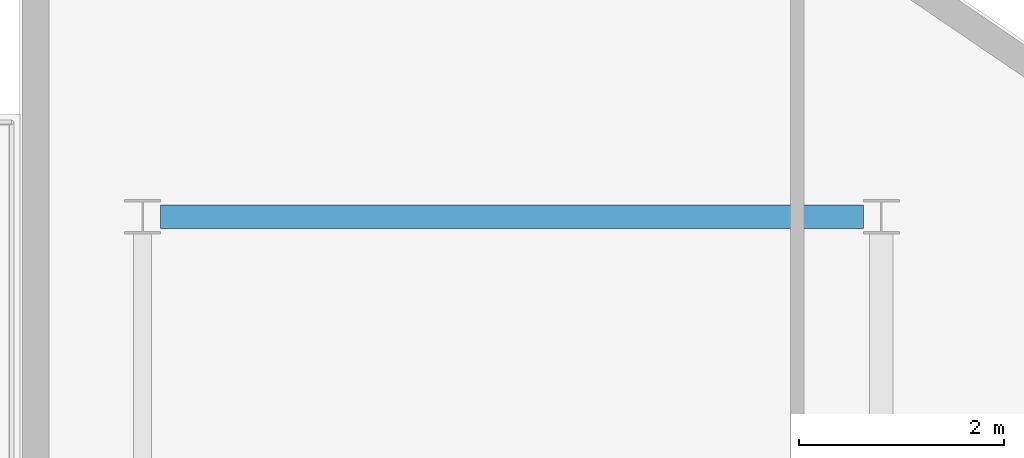
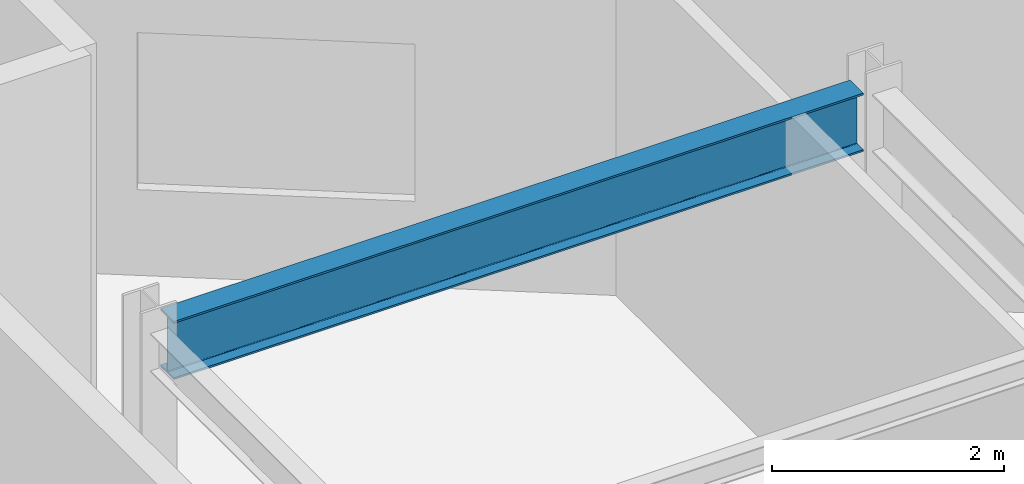
# One storey, part 9 of 21: 1 beam.
"""IFC4 building model written with IfcOpenShell, lengths in metres."""

from ifc_helpers import new_model, si_unit, direction, frame, origin, origin_2d, place, context, subcontext, project, spatial, i_section, extrude, material, material_profile, profile_set, type_object, element, save


model = new_model("IFC4")

# Units and contexts
model_context = context("Model", 3, precision=1e-05, world=origin(), true_north=direction((0.0, 1.0)))
body_context = subcontext(model_context, "Body", "Model", "MODEL_VIEW")
ifc_project = project(units=[si_unit("LENGTHUNIT", "METRE"), si_unit("AREAUNIT", "SQUARE_METRE"), si_unit("VOLUMEUNIT", "CUBIC_METRE"), si_unit("PLANEANGLEUNIT", "RADIAN"), si_unit("MASSUNIT", "GRAM", prefix="KILO")], contexts=[model_context])

# Site, building, storey
site_placement = place(None, origin())
site = spatial("IfcSite", under=ifc_project, at=site_placement, CompositionType="ELEMENT")
building_placement = place(site_placement, origin())
building = spatial("IfcBuilding", under=site, at=building_placement, Name="Varnakote Quay Hospital", CompositionType="ELEMENT")
storey_placement = place(building_placement, frame((0.0, 0.0, 38.300048828125)))
storey = spatial("IfcBuildingStorey", under=building, at=storey_placement, Name="L09", CompositionType="ELEMENT", Elevation=38.300048828125)

# Beam
ifc_material = material(Name="Structural steel AS/NZS 3679.1 Grade 350 L0 (fy 340 MPa)", Category="steel")
ifc_material_profile = material_profile(ifc_material, i_section(OverallWidth=0.22900390625, OverallDepth=0.612060546875, WebThickness=0.011962890625, FlangeThickness=0.01953125, FilletRadius=0.013916015625, at=origin_2d()), Name="610UB125")
ifc_profile_set = profile_set([ifc_material_profile], Name="Structural steel AS/NZS 3679.1 Grade 350 L0 (fy 340 MPa)")
beam_type = type_object("IfcBeamType", Name="BM-STL-610UB125", PredefinedType="BEAM", material=ifc_profile_set)
beam_placement = place(storey_placement, frame((1.375, 37.199951171875, 3.404052734375), z_axis=(1.0, 0.0, 0.0), x_axis=(0.0, 1.0, 0.0)))
element("IfcBeam", 1, at=beam_placement, inside=storey, type_object=beam_type, Name="L09 Primary Floor Beam", PredefinedType="BEAM", context=body_context, shape_type="SweptSolid", body=[
    extrude(i_section(OverallWidth=0.22900390625, OverallDepth=0.612060546875, WebThickness=0.011962890625, FlangeThickness=0.01953125, FilletRadius=0.013916015625, at=origin_2d()), origin(), (0.0, 0.0, 1.0), 6.85009765625),
])

save(model, "model.ifc")
